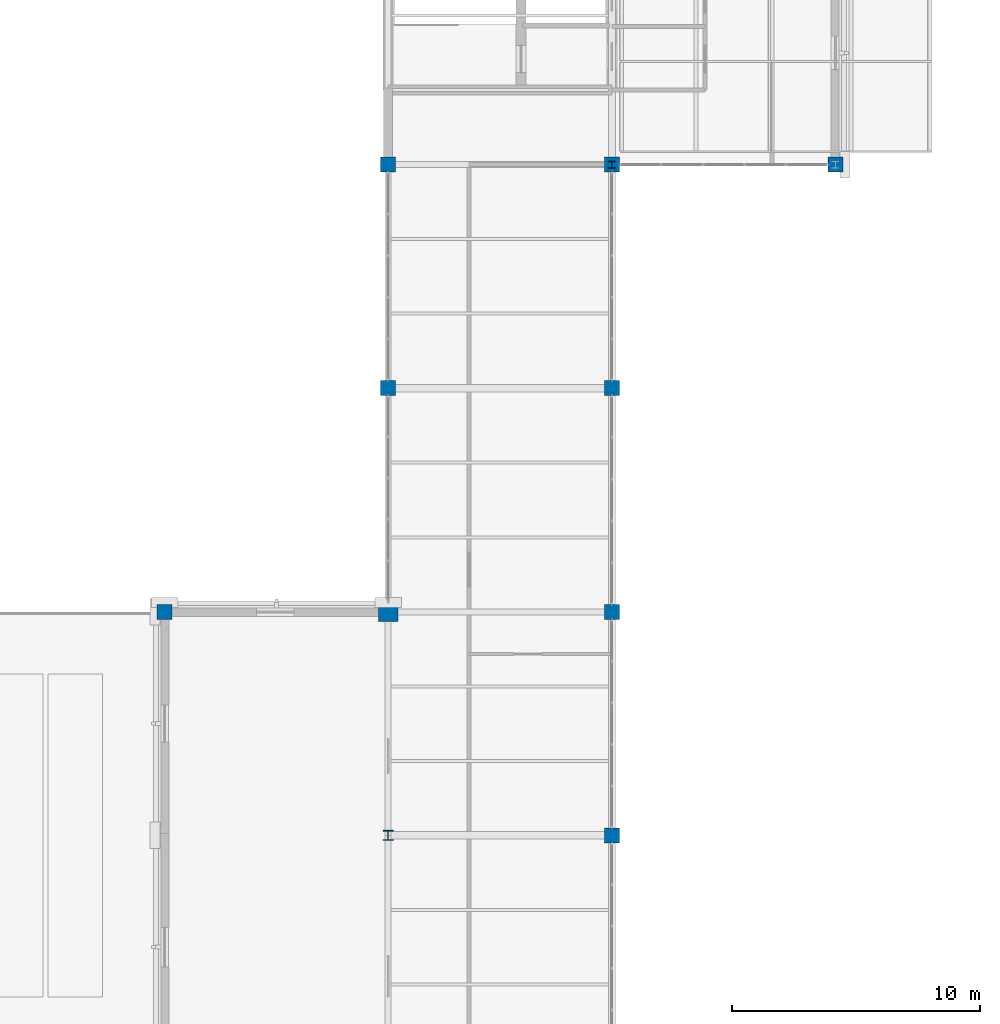
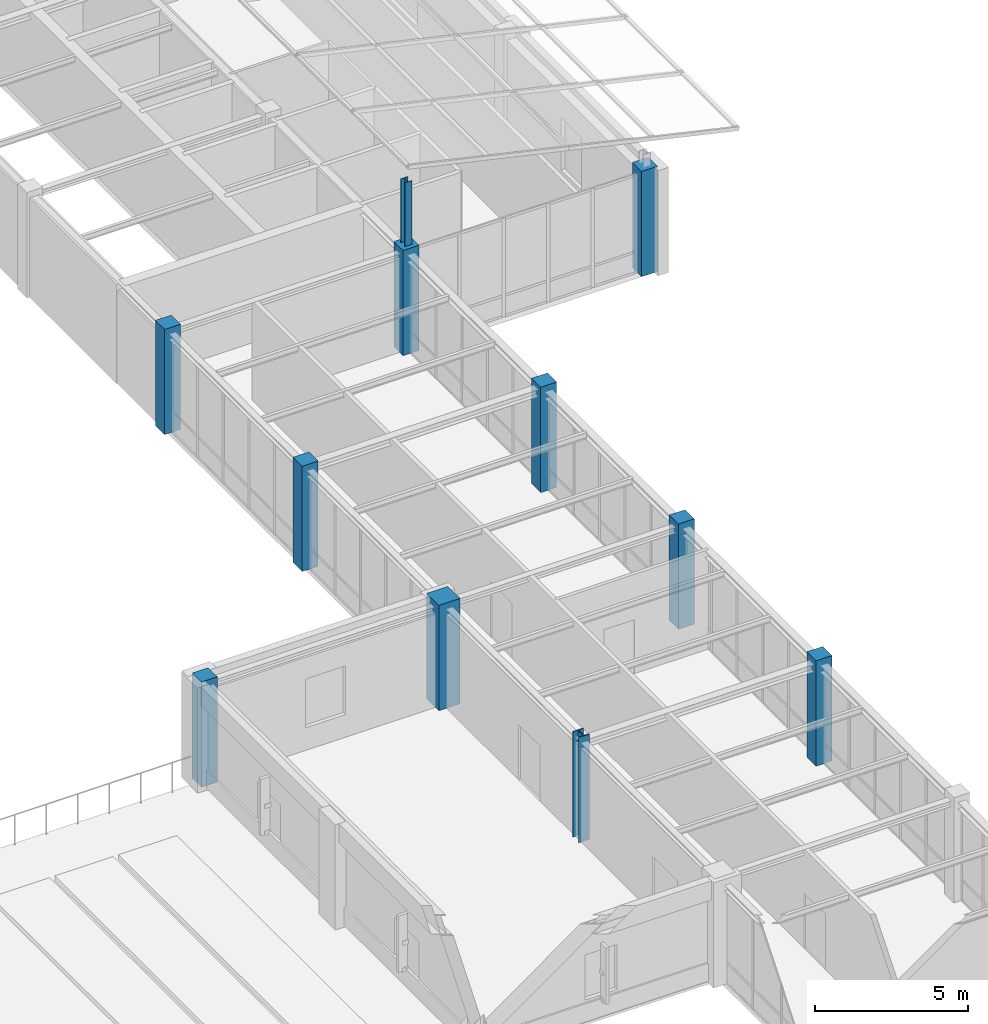
# One storey, part 3 of 97: 11 columns.
"""IFC4 building model written with IfcOpenShell, lengths in metres."""

from ifc_helpers import new_model, si_unit, direction, frame, origin, origin_2d, place, context, subcontext, project, spatial, rectangle, i_section, extrude, material, material_profile, profile_set, type_object, element, save


model = new_model("IFC4")

# Units and contexts
model_context = context("Model", 3, precision=1e-05, world=origin(), true_north=direction((0.0, 1.0)))
body_context = subcontext(model_context, "Body", "Model", "MODEL_VIEW")
ifc_project = project(units=[si_unit("LENGTHUNIT", "METRE"), si_unit("AREAUNIT", "SQUARE_METRE"), si_unit("VOLUMEUNIT", "CUBIC_METRE"), si_unit("PLANEANGLEUNIT", "RADIAN"), si_unit("MASSUNIT", "GRAM", prefix="KILO")], contexts=[model_context])

# Site, building, storey
site_placement = place(None, origin())
site = spatial("IfcSite", under=ifc_project, at=site_placement, CompositionType="ELEMENT")
building_placement = place(site_placement, origin())
building = spatial("IfcBuilding", under=site, at=building_placement, Name="Lykobir Media Centre", CompositionType="ELEMENT")
storey_placement = place(building_placement, frame((0.0, 0.0, 23.39990234375)))
storey = spatial("IfcBuildingStorey", under=building, at=storey_placement, Name="L05", CompositionType="ELEMENT", Elevation=23.39990234375)

# Columns
ifc_material_1 = material(Name="Concrete C40/50", Category="concrete")
ifc_material_profile_1 = material_profile(ifc_material_1, rectangle(XDim=0.60009765625, YDim=0.60009765625, at=origin_2d()), Name="RC 600x600")
ifc_profile_set_1 = profile_set([ifc_material_profile_1], Name="Concrete C40/50")
column_type_1 = type_object("IfcColumnType", Name="RC-C600", PredefinedType="COLUMN", material=ifc_profile_set_1)
for number, where, z_axis, x_axis, name in (
    (1, (18.0, 45.0, 0.0), (0.0, 0.0, 1.0), (1.0, 0.0, 0.0), "Column COL-L05-0180-0450"),
    (2, (27.0, 54.0, 0.0), (0.0, 0.0, 1.0), (1.0, 0.0, 0.0), "Column COL-L05-0270-0540"),
    (3, (27.0, 63.0, 0.0), (0.0, 0.0, 1.0), (1.0, 0.0, 0.0), "Column COL-L05-0270-0630"),
    (4, (36.0, 36.0, 0.0), (0.0, 0.0, 1.0), (1.0, 0.0, 0.0), "Column COL-L05-0360-0360"),
    (5, (36.0, 45.0, 0.0), (0.0, 0.0, 1.0), (1.0, 0.0, 0.0), "Column COL-L05-0360-0450"),
    (6, (36.0, 54.0, 0.0), (0.0, 0.0, 1.0), (1.0, 0.0, 0.0), "Column COL-L05-0360-0540"),
    (7, (36.0, 63.0, 0.0), (0.0, 0.0, 1.0), (1.0, 0.0, 0.0), "Column COL-L05-0360-0630"),
    (8, (45.0, 63.0, 0.0), (0.0, 0.0, 1.0), (1.0, 0.0, 0.0), "Column COL-L05-0450-0630"),
):
    element("IfcColumn", number, at=place(storey_placement, frame(where, z_axis=z_axis, x_axis=x_axis)), inside=storey, type_object=column_type_1, Name=name, PredefinedType="COLUMN", context=body_context, shape_type="SweptSolid", body=[
        extrude(rectangle(XDim=0.60009765625, YDim=0.60009765625, at=origin_2d()), origin(), (0.0, 0.0, 1.0), 4.2001953125),
    ])
ifc_material_profile_2 = material_profile(ifc_material_1, rectangle(XDim=0.800048828125, YDim=0.800048828125, at=origin_2d()), Name="RC 800x800")
ifc_profile_set_2 = profile_set([ifc_material_profile_2], Name="Concrete C40/50")
column_type_2 = type_object("IfcColumnType", Name="RC-C800", PredefinedType="COLUMN", material=ifc_profile_set_2)
column_1_placement = place(storey_placement, frame((27.0, 45.0, 0.0), z_axis=(0.0, 0.0, 1.0), x_axis=(1.0, 0.0, 0.0)))
element("IfcColumn", 9, at=column_1_placement, inside=storey, type_object=column_type_2, Name="Column COL-L05-0270-0450", PredefinedType="COLUMN", context=body_context, shape_type="SweptSolid", body=[
    extrude(rectangle(XDim=0.800048828125, YDim=0.800048828125, at=origin_2d()), origin(), (0.0, 0.0, 1.0), 4.2001953125),
])
ifc_material_2 = material(Name="Steel S355", Category="steel")
ifc_material_profile_3 = material_profile(ifc_material_2, i_section(OverallWidth=0.404052734375, OverallDepth=0.406982421875, WebThickness=0.017822265625, FlangeThickness=0.027099609375, at=origin_2d()), Name="HD 400x347")
ifc_profile_set_3 = profile_set([ifc_material_profile_3], Name="Steel S355")
column_type_3 = type_object("IfcColumnType", Name="SC-HD347", PredefinedType="COLUMN", material=ifc_profile_set_3)
column_2_placement = place(storey_placement, frame((27.0, 36.0, 0.0), z_axis=(0.0, 0.0, 1.0), x_axis=(1.0, 0.0, 0.0)))
element("IfcColumn", 10, at=column_2_placement, inside=storey, type_object=column_type_3, Name="Column COL-L05-0270-0360", PredefinedType="COLUMN", context=body_context, shape_type="SweptSolid", body=[
    extrude(i_section(OverallWidth=0.404052734375, OverallDepth=0.406982421875, WebThickness=0.017822265625, FlangeThickness=0.027099609375, at=origin_2d()), origin(), (0.0, 0.0, 1.0), 4.2001953125),
])
ifc_material_profile_4 = material_profile(ifc_material_2, i_section(OverallWidth=0.280029296875, OverallDepth=0.280029296875, WebThickness=0.010498046875, FlangeThickness=0.01806640625, at=origin_2d()), Name="HEB 280")
ifc_profile_set_4 = profile_set([ifc_material_profile_4], Name="Steel S355")
column_type_4 = type_object("IfcColumnType", Name="SC-HEB280", PredefinedType="COLUMN", material=ifc_profile_set_4)
column_3_placement = place(storey_placement, frame((36.0, 63.0, 4.2001953125), z_axis=(0.0, 0.0, 1.0), x_axis=(1.0, 0.0, 0.0)))
element("IfcColumn", 11, at=column_3_placement, inside=storey, type_object=column_type_4, Name="V6 roof portal post 36-63", PredefinedType="COLUMN", context=body_context, shape_type="SweptSolid", body=[
    extrude(i_section(OverallWidth=0.280029296875, OverallDepth=0.280029296875, WebThickness=0.010498046875, FlangeThickness=0.01806640625, at=origin_2d()), origin(), (0.0, 0.0, 1.0), 2.539794921875),
])

save(model, "model.ifc")
